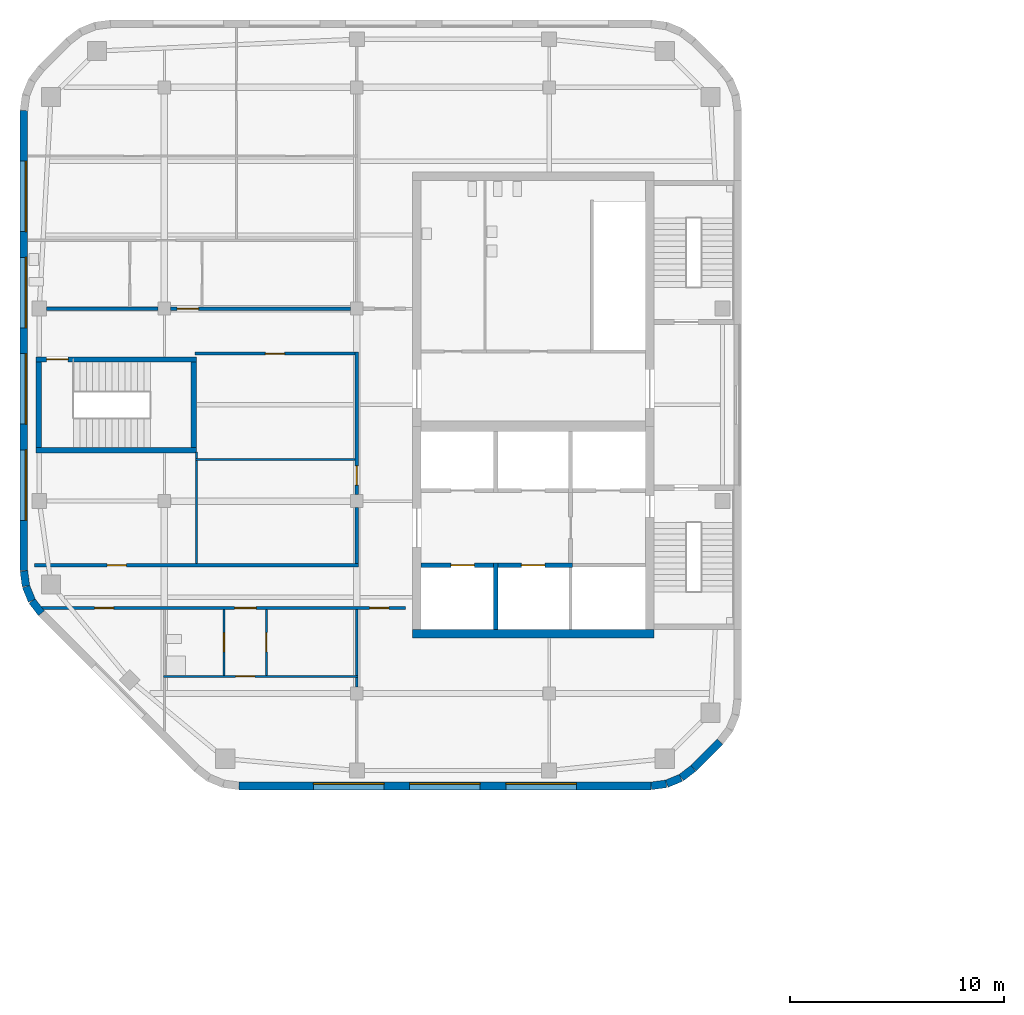
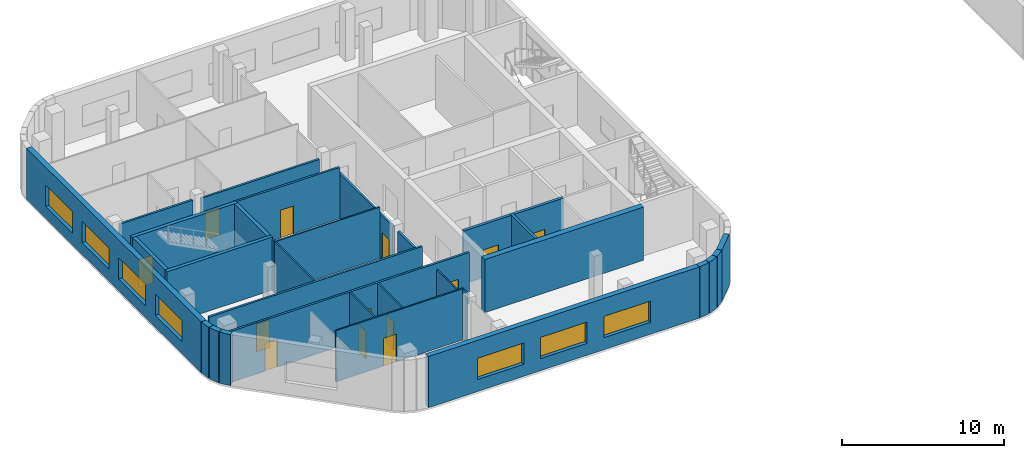
# One storey, part 5 of 15: 32 walls, 13 doors, 7 windows, 20 openings.
"""IFC4 building model written with IfcOpenShell, lengths in metres."""

from ifc_helpers import new_model, si_unit, direction, frame, frame_2d, origin, place, context, subcontext, project, spatial, rectangle, extrude, material, layer, layer_set, type_object, element, fill, save


model = new_model("IFC4")

# Units and contexts
model_context = context("Model", 3, precision=1e-05, world=origin(), true_north=direction((0.0, 1.0)))
body_context = subcontext(model_context, "Body", "Model", "MODEL_VIEW")
ifc_project = project(units=[si_unit("LENGTHUNIT", "METRE"), si_unit("AREAUNIT", "SQUARE_METRE"), si_unit("VOLUMEUNIT", "CUBIC_METRE"), si_unit("PLANEANGLEUNIT", "RADIAN"), si_unit("MASSUNIT", "GRAM", prefix="KILO")], contexts=[model_context])

# Site, building, storey
site_placement = place(None, origin())
site = spatial("IfcSite", under=ifc_project, at=site_placement, CompositionType="ELEMENT")
building_placement = place(site_placement, origin())
building = spatial("IfcBuilding", under=site, at=building_placement, Name="Cinnabar Reach Civic Tower", CompositionType="ELEMENT")
storey_placement = place(building_placement, frame((0.0, 0.0, 120.0)))
storey = spatial("IfcBuildingStorey", under=building, at=storey_placement, Name="L28", CompositionType="ELEMENT", Elevation=120.0)

# Walls
ifc_material_1 = material(Name="Facing brick with insulated backing", Category="masonry")
ifc_layer_1 = layer(ifc_material_1, 0.36)
ifc_layer_set_1 = layer_set([ifc_layer_1], Name="Brick corner wall")
wall_type_1 = type_object("IfcWallType", Name="Brick corner wall", PredefinedType="STANDARD", material=ifc_layer_set_1)
for number, where, z_axis, x_axis, name in (
    (1, (-31.2314, 13.683, 0.0), (0.0, 0.0, 1.0), (0.99144092581, 0.13055608231, 0.0), "Brick corner wall"),
    (2, (-30.5027, 13.7819, 0.0), (0.0, 0.0, 1.0), (0.923871547278, 0.382702709855, 0.0), "Brick corner wall"),
):
    element("IfcWall", number, at=place(storey_placement, frame(where, z_axis=z_axis, x_axis=x_axis)), inside=storey, type_object=wall_type_1, Name=name, PredefinedType="STANDARD", context=body_context, shape_type="SweptSolid", body=[
        extrude(rectangle(XDim=0.7131, YDim=0.36, at=frame_2d((0.3565, 0.0))), origin(), (0.0, 0.0, 1.0), 3.85),
    ])
wall_1_placement = place(storey_placement, frame((-29.8245, 14.066, 0.0), z_axis=(0.0, 0.0, 1.0), x_axis=(0.793321924995, 0.608802368033, 0.0)))
element("IfcWall", 3, at=wall_1_placement, inside=storey, type_object=wall_type_1, Name="Brick corner wall", PredefinedType="STANDARD", context=body_context, shape_type="SweptSolid", body=[
    extrude(rectangle(XDim=0.7132, YDim=0.36, at=frame_2d((0.3566, 0.0))), origin(), (0.0, 0.0, 1.0), 3.85),
])
for number, where, z_axis, x_axis, name in (
    (4, (-60.567, 23.7314, 0.0), (0.0, 0.0, 1.0), (0.13055608231, -0.99144092581, 0.0), "Brick corner wall"),
    (5, (-60.4681, 23.0027, 0.0), (0.0, 0.0, 1.0), (0.382702709855, -0.923871547278, 0.0), "Brick corner wall"),
):
    element("IfcWall", number, at=place(storey_placement, frame(where, z_axis=z_axis, x_axis=x_axis)), inside=storey, type_object=wall_type_1, Name=name, PredefinedType="STANDARD", context=body_context, shape_type="SweptSolid", body=[
        extrude(rectangle(XDim=0.7131, YDim=0.36, at=frame_2d((0.3565, 0.0))), origin(), (0.0, 0.0, 1.0), 3.85),
    ])
wall_2_placement = place(storey_placement, frame((-60.184, 22.3245, 0.0), z_axis=(0.0, 0.0, 1.0), x_axis=(0.608802368033, -0.793321924995, 0.0)))
element("IfcWall", 6, at=wall_2_placement, inside=storey, type_object=wall_type_1, Name="Brick corner wall", PredefinedType="STANDARD", context=body_context, shape_type="SweptSolid", body=[
    extrude(rectangle(XDim=0.7132, YDim=0.36, at=frame_2d((0.3566, 0.0))), origin(), (0.0, 0.0, 1.0), 3.85),
])

# Wall, openings, windows
ifc_layer_2 = layer(ifc_material_1, 0.36)
ifc_layer_set_2 = layer_set([ifc_layer_2], Name="Brick pier and spandrel wall")
wall_type_2 = type_object("IfcWallType", Name="Brick pier and spandrel wall", PredefinedType="STANDARD", material=ifc_layer_set_2)
wall_3_placement = place(storey_placement, frame((-50.5074, 13.68, 0.0), z_axis=(0.0, 0.0, 1.0), x_axis=(1.0, 0.0, 0.0)))
wall_3 = element("IfcWall", 7, at=wall_3_placement, inside=storey, type_object=wall_type_2, Name="Brick facade wall", PredefinedType="STANDARD", context=body_context, shape_type="SweptSolid", body=[
    extrude(rectangle(XDim=19.2648, YDim=0.36, at=frame_2d((9.6324, 0.0))), origin(), (0.0, 0.0, 1.0), 3.85),
])
opening_1_placement = place(wall_3_placement, frame((3.4824, 0.0, 0.9)))
opening_1 = element("IfcOpeningElement", 8, at=opening_1_placement, cuts=wall_3, Name="Opening W2737", PredefinedType="OPENING", context=body_context, shape_type="SweptSolid", body=[
    extrude(rectangle(XDim=3.3, YDim=1.6, at=frame_2d((1.65, 0.8))), frame((0.0, 0.19, 0.0), z_axis=(0.0, -1.0, 0.0), x_axis=(1.0, 0.0, 0.0)), (0.0, 0.0, 1.0), 0.38),
])
opening_2_placement = place(wall_3_placement, frame((7.9824, 0.0, 0.9)))
opening_2 = element("IfcOpeningElement", 9, at=opening_2_placement, cuts=wall_3, Name="Opening W2738", PredefinedType="OPENING", context=body_context, shape_type="SweptSolid", body=[
    extrude(rectangle(XDim=3.3, YDim=1.6, at=frame_2d((1.65, 0.8))), frame((0.0, 0.19, 0.0), z_axis=(0.0, -1.0, 0.0), x_axis=(1.0, 0.0, 0.0)), (0.0, 0.0, 1.0), 0.38),
])
opening_3_placement = place(wall_3_placement, frame((12.4824, 0.0, 0.9)))
opening_3 = element("IfcOpeningElement", 10, at=opening_3_placement, cuts=wall_3, Name="Opening W2739", PredefinedType="OPENING", context=body_context, shape_type="SweptSolid", body=[
    extrude(rectangle(XDim=3.3, YDim=1.6, at=frame_2d((1.65, 0.8))), frame((0.0, 0.19, 0.0), z_axis=(0.0, -1.0, 0.0), x_axis=(1.0, 0.0, 0.0)), (0.0, 0.0, 1.0), 0.38),
])
ifc_material_2 = material(Name="Clear double glazing in aluminium frame", Category="aluminium")
window_type = type_object("IfcWindowType", Name="Deep-set window A", PartitioningType="SINGLE_PANEL", PredefinedType="WINDOW", material=ifc_material_2)
window_1_placement = place(opening_1_placement, origin())
window_1 = element("IfcWindow", 11, at=window_1_placement, inside=storey, type_object=window_type, Name="Window south face", OverallHeight=1.6, OverallWidth=3.3, PartitioningType="SINGLE_PANEL", PredefinedType="WINDOW", context=body_context, shape_type="SweptSolid", body=[
    extrude(rectangle(XDim=3.3, YDim=1.6, at=frame_2d((1.65, 0.8))), frame((0.0, 0.13, 0.0), z_axis=(0.0, -1.0, 0.0), x_axis=(1.0, 0.0, 0.0)), (0.0, 0.0, 1.0), 0.06),
])
fill(opening_1, window_1)
window_2_placement = place(opening_2_placement, origin())
window_2 = element("IfcWindow", 12, at=window_2_placement, inside=storey, type_object=window_type, Name="Window south face", OverallHeight=1.6, OverallWidth=3.3, PartitioningType="SINGLE_PANEL", PredefinedType="WINDOW", context=body_context, shape_type="SweptSolid", body=[
    extrude(rectangle(XDim=3.3, YDim=1.6, at=frame_2d((1.65, 0.8))), frame((0.0, 0.13, 0.0), z_axis=(0.0, -1.0, 0.0), x_axis=(1.0, 0.0, 0.0)), (0.0, 0.0, 1.0), 0.06),
])
fill(opening_2, window_2)
window_3_placement = place(opening_3_placement, origin())
window_3 = element("IfcWindow", 13, at=window_3_placement, inside=storey, type_object=window_type, Name="Window south face", OverallHeight=1.6, OverallWidth=3.3, PartitioningType="SINGLE_PANEL", PredefinedType="WINDOW", context=body_context, shape_type="SweptSolid", body=[
    extrude(rectangle(XDim=3.3, YDim=1.6, at=frame_2d((1.65, 0.8))), frame((0.0, 0.13, 0.0), z_axis=(0.0, -1.0, 0.0), x_axis=(1.0, 0.0, 0.0)), (0.0, 0.0, 1.0), 0.06),
])
fill(opening_3, window_3)

# Wall
wall_4_placement = place(storey_placement, frame((-29.2486, 14.506, 0.0), z_axis=(0.0, 0.0, 1.0), x_axis=(0.707106781187, 0.707106781187, 0.0)))
element("IfcWall", 14, at=wall_4_placement, inside=storey, type_object=wall_type_2, Name="Brick facade wall", PredefinedType="STANDARD", context=body_context, shape_type="SweptSolid", body=[
    extrude(rectangle(XDim=1.7573, YDim=0.36, at=frame_2d((0.8787, 0.0))), origin(), (0.0, 0.0, 1.0), 3.85),
])

# Wall, openings, windows
wall_5_placement = place(storey_placement, frame((-60.57, 45.2574, 0.0), z_axis=(0.0, 0.0, 1.0), x_axis=(0.0, -1.0, 0.0)))
wall_5 = element("IfcWall", 15, at=wall_5_placement, inside=storey, type_object=wall_type_2, Name="Brick facade wall", PredefinedType="STANDARD", context=body_context, shape_type="SweptSolid", body=[
    extrude(rectangle(XDim=21.5148, YDim=0.36, at=frame_2d((10.7574, 0.0))), origin(), (0.0, 0.0, 1.0), 3.85),
])
opening_4_placement = place(wall_5_placement, frame((2.3574, 0.0, 0.9)))
opening_4 = element("IfcOpeningElement", 16, at=opening_4_placement, cuts=wall_5, Name="Opening W2746", PredefinedType="OPENING", context=body_context, shape_type="SweptSolid", body=[
    extrude(rectangle(XDim=3.3, YDim=1.6, at=frame_2d((1.65, 0.8))), frame((0.0, 0.19, 0.0), z_axis=(0.0, -1.0, 0.0), x_axis=(1.0, 0.0, 0.0)), (0.0, 0.0, 1.0), 0.38),
])
opening_5_placement = place(wall_5_placement, frame((6.8574, 0.0, 0.9)))
opening_5 = element("IfcOpeningElement", 17, at=opening_5_placement, cuts=wall_5, Name="Opening W2747", PredefinedType="OPENING", context=body_context, shape_type="SweptSolid", body=[
    extrude(rectangle(XDim=3.3, YDim=1.6, at=frame_2d((1.65, 0.8))), frame((0.0, 0.19, 0.0), z_axis=(0.0, -1.0, 0.0), x_axis=(1.0, 0.0, 0.0)), (0.0, 0.0, 1.0), 0.38),
])
opening_6_placement = place(wall_5_placement, frame((11.3574, 0.0, 0.9)))
opening_6 = element("IfcOpeningElement", 18, at=opening_6_placement, cuts=wall_5, Name="Opening W2748", PredefinedType="OPENING", context=body_context, shape_type="SweptSolid", body=[
    extrude(rectangle(XDim=3.3, YDim=1.6, at=frame_2d((1.65, 0.8))), frame((0.0, 0.19, 0.0), z_axis=(0.0, -1.0, 0.0), x_axis=(1.0, 0.0, 0.0)), (0.0, 0.0, 1.0), 0.38),
])
opening_7_placement = place(wall_5_placement, frame((15.8574, 0.0, 0.9)))
opening_7 = element("IfcOpeningElement", 19, at=opening_7_placement, cuts=wall_5, Name="Opening W2749", PredefinedType="OPENING", context=body_context, shape_type="SweptSolid", body=[
    extrude(rectangle(XDim=3.3, YDim=1.6, at=frame_2d((1.65, 0.8))), frame((0.0, 0.19, 0.0), z_axis=(0.0, -1.0, 0.0), x_axis=(1.0, 0.0, 0.0)), (0.0, 0.0, 1.0), 0.38),
])
window_4_placement = place(opening_4_placement, origin())
window_4 = element("IfcWindow", 20, at=window_4_placement, inside=storey, type_object=window_type, Name="Window west face", OverallHeight=1.6, OverallWidth=3.3, PartitioningType="SINGLE_PANEL", PredefinedType="WINDOW", context=body_context, shape_type="SweptSolid", body=[
    extrude(rectangle(XDim=3.3, YDim=1.6, at=frame_2d((1.65, 0.8))), frame((0.0, 0.13, 0.0), z_axis=(0.0, -1.0, 0.0), x_axis=(1.0, 0.0, 0.0)), (0.0, 0.0, 1.0), 0.06),
])
fill(opening_4, window_4)
window_5_placement = place(opening_5_placement, origin())
window_5 = element("IfcWindow", 21, at=window_5_placement, inside=storey, type_object=window_type, Name="Window west face", OverallHeight=1.6, OverallWidth=3.3, PartitioningType="SINGLE_PANEL", PredefinedType="WINDOW", context=body_context, shape_type="SweptSolid", body=[
    extrude(rectangle(XDim=3.3, YDim=1.6, at=frame_2d((1.65, 0.8))), frame((0.0, 0.13, 0.0), z_axis=(0.0, -1.0, 0.0), x_axis=(1.0, 0.0, 0.0)), (0.0, 0.0, 1.0), 0.06),
])
fill(opening_5, window_5)
window_6_placement = place(opening_6_placement, origin())
window_6 = element("IfcWindow", 22, at=window_6_placement, inside=storey, type_object=window_type, Name="Window west face", OverallHeight=1.6, OverallWidth=3.3, PartitioningType="SINGLE_PANEL", PredefinedType="WINDOW", context=body_context, shape_type="SweptSolid", body=[
    extrude(rectangle(XDim=3.3, YDim=1.6, at=frame_2d((1.65, 0.8))), frame((0.0, 0.13, 0.0), z_axis=(0.0, -1.0, 0.0), x_axis=(1.0, 0.0, 0.0)), (0.0, 0.0, 1.0), 0.06),
])
fill(opening_6, window_6)
window_7_placement = place(opening_7_placement, origin())
window_7 = element("IfcWindow", 23, at=window_7_placement, inside=storey, type_object=window_type, Name="Window west face", OverallHeight=1.6, OverallWidth=3.3, PartitioningType="SINGLE_PANEL", PredefinedType="WINDOW", context=body_context, shape_type="SweptSolid", body=[
    extrude(rectangle(XDim=3.3, YDim=1.6, at=frame_2d((1.65, 0.8))), frame((0.0, 0.13, 0.0), z_axis=(0.0, -1.0, 0.0), x_axis=(1.0, 0.0, 0.0)), (0.0, 0.0, 1.0), 0.06),
])
fill(opening_7, window_7)

# Wall
ifc_material_3 = material(Name="Concrete C60", Category="concrete")
ifc_layer_3 = layer(ifc_material_3, 0.4)
ifc_layer_set_3 = layer_set([ifc_layer_3], Name="Core wall 400 EI 180")
wall_type_3 = type_object("IfcWallType", Name="Core wall 400 EI 180", PredefinedType="SOLIDWALL", material=ifc_layer_set_3)
wall_6_placement = place(storey_placement, frame((-42.4, 20.8, 0.0), z_axis=(0.0, 0.0, 1.0), x_axis=(1.0, 0.0, 0.0)))
element("IfcWall", 24, at=wall_6_placement, inside=storey, type_object=wall_type_3, Name="Core wall T2 L28 S", PredefinedType="SOLIDWALL", context=body_context, shape_type="SweptSolid", body=[
    extrude(rectangle(XDim=11.3, YDim=0.4, at=frame_2d((5.65, 0.0))), origin(), (0.0, 0.0, 1.0), 4.0),
])

# Wall, opening, door
ifc_material_4 = material(Name="Gypsum board on steel studs, double layer", Category="steel")
ifc_layer_4 = layer(ifc_material_4, 0.15)
ifc_layer_set_4 = layer_set([ifc_layer_4], Name="Corridor wall 150 T2")
wall_type_4 = type_object("IfcWallType", Name="Corridor wall 150 T2", PredefinedType="PARTITIONING", material=ifc_layer_set_4)
wall_7_placement = place(storey_placement, frame((-53.7, 36.0, 0.0), z_axis=(0.0, 0.0, 1.0), x_axis=(1.0, 0.0, 0.0)))
wall_7 = element("IfcWall", 25, at=wall_7_placement, inside=storey, type_object=wall_type_4, Name="Corridor wall 2", PredefinedType="PARTITIONING", context=body_context, shape_type="SweptSolid", body=[
    extrude(rectangle(XDim=8.4, YDim=0.15, at=frame_2d((4.2, 0.0))), origin(), (0.0, 0.0, 1.0), 3.262),
])
opening_8_placement = place(wall_7_placement, frame((0.3, 0.0, 0.0)))
opening_8 = element("IfcOpeningElement", 26, at=opening_8_placement, cuts=wall_7, Name="Opening D7035", PredefinedType="OPENING", context=body_context, shape_type="SweptSolid", body=[
    extrude(rectangle(XDim=1.0, YDim=2.1, at=frame_2d((0.5, 1.05))), frame((0.0, 0.085, 0.0), z_axis=(0.0, -1.0, 0.0), x_axis=(1.0, 0.0, 0.0)), (0.0, 0.0, 1.0), 0.17),
])
ifc_material_5 = material(Name="Timber door leaf in steel frame", Category="steel")
door_type_1 = type_object("IfcDoorType", Name="Tenancy entrance door 1000 x 2100 T2", OperationType="SINGLE_SWING_LEFT", PredefinedType="DOOR", material=ifc_material_5)
door_1_placement = place(opening_8_placement, origin())
door_1 = element("IfcDoor", 27, at=door_1_placement, inside=storey, type_object=door_type_1, Name="Door D7035", OperationType="SINGLE_SWING_RIGHT", OverallHeight=2.1, OverallWidth=1.0, PredefinedType="DOOR", context=body_context, shape_type="SweptSolid", body=[
    extrude(rectangle(XDim=1.0, YDim=2.1, at=frame_2d((0.5, 1.05))), frame((0.0, 0.025, 0.0), z_axis=(0.0, -1.0, 0.0), x_axis=(1.0, 0.0, 0.0)), (0.0, 0.0, 1.0), 0.05),
])
fill(opening_8, door_1)

# Wall
wall_8_placement = place(storey_placement, frame((-59.5, 36.0, 0.0), z_axis=(0.0, 0.0, 1.0), x_axis=(1.0, 0.0, 0.0)))
element("IfcWall", 28, at=wall_8_placement, inside=storey, type_object=wall_type_4, Name="Corridor wall 3", PredefinedType="PARTITIONING", context=body_context, shape_type="SweptSolid", body=[
    extrude(rectangle(XDim=5.2, YDim=0.15, at=frame_2d((2.6, 0.0))), origin(), (0.0, 0.0, 1.0), 3.35),
])

# Wall, openings, doors
wall_9_placement = place(storey_placement, frame((-59.7657, 22.0, 0.0), z_axis=(0.0, 0.0, 1.0), x_axis=(1.0, 0.0, 0.0)))
wall_9 = element("IfcWall", 29, at=wall_9_placement, inside=storey, type_object=wall_type_4, Name="Corridor wall 4", PredefinedType="PARTITIONING", context=body_context, shape_type="SweptSolid", body=[
    extrude(rectangle(XDim=17.0407, YDim=0.15, at=frame_2d((8.5204, 0.0))), origin(), (0.0, 0.0, 1.0), 3.85),
])
opening_9_placement = place(wall_9_placement, frame((15.3657, 0.0, 0.0)))
opening_9 = element("IfcOpeningElement", 30, at=opening_9_placement, cuts=wall_9, Name="Opening D7023", PredefinedType="OPENING", context=body_context, shape_type="SweptSolid", body=[
    extrude(rectangle(XDim=0.9, YDim=2.1, at=frame_2d((0.45, 1.05))), frame((0.0, 0.085, 0.0), z_axis=(0.0, -1.0, 0.0), x_axis=(1.0, 0.0, 0.0)), (0.0, 0.0, 1.0), 0.17),
])
opening_10_placement = place(wall_9_placement, frame((2.5, 0.0, 0.0)))
opening_10 = element("IfcOpeningElement", 31, at=opening_10_placement, cuts=wall_9, Name="Opening D7024", PredefinedType="OPENING", context=body_context, shape_type="SweptSolid", body=[
    extrude(rectangle(XDim=0.9, YDim=2.1, at=frame_2d((0.45, 1.05))), frame((0.0, 0.085, 0.0), z_axis=(0.0, -1.0, 0.0), x_axis=(1.0, 0.0, 0.0)), (0.0, 0.0, 1.0), 0.17),
])
opening_11_placement = place(wall_9_placement, frame((9.0557, 0.0, 0.0)))
opening_11 = element("IfcOpeningElement", 32, at=opening_11_placement, cuts=wall_9, Name="Opening D7028", PredefinedType="OPENING", context=body_context, shape_type="SweptSolid", body=[
    extrude(rectangle(XDim=1.0, YDim=2.1, at=frame_2d((0.5, 1.05))), frame((0.0, 0.085, 0.0), z_axis=(0.0, -1.0, 0.0), x_axis=(1.0, 0.0, 0.0)), (0.0, 0.0, 1.0), 0.17),
])
door_type_2 = type_object("IfcDoorType", Name="Single swing door 900 x 2100 T2", OperationType="SINGLE_SWING_LEFT", PredefinedType="DOOR", material=ifc_material_5)
door_2_placement = place(opening_9_placement, frame((0.9, 0.0, 0.0), z_axis=(0.0, 0.0, 1.0), x_axis=(-1.0, 0.0, 0.0)))
door_2 = element("IfcDoor", 33, at=door_2_placement, inside=storey, type_object=door_type_2, Name="Door D7023", OperationType="SINGLE_SWING_RIGHT", OverallHeight=2.1, OverallWidth=0.9, PredefinedType="DOOR", context=body_context, shape_type="SweptSolid", body=[
    extrude(rectangle(XDim=0.9, YDim=2.1, at=frame_2d((0.45, 1.05))), frame((0.0, 0.025, 0.0), z_axis=(0.0, -1.0, 0.0), x_axis=(1.0, 0.0, 0.0)), (0.0, 0.0, 1.0), 0.05),
])
fill(opening_9, door_2)
door_3_placement = place(opening_10_placement, frame((0.9, 0.0, 0.0), z_axis=(0.0, 0.0, 1.0), x_axis=(-1.0, 0.0, 0.0)))
door_3 = element("IfcDoor", 34, at=door_3_placement, inside=storey, type_object=door_type_2, Name="Door D7024", OperationType="SINGLE_SWING_RIGHT", OverallHeight=2.1, OverallWidth=0.9, PredefinedType="DOOR", context=body_context, shape_type="SweptSolid", body=[
    extrude(rectangle(XDim=0.9, YDim=2.1, at=frame_2d((0.45, 1.05))), frame((0.0, 0.025, 0.0), z_axis=(0.0, -1.0, 0.0), x_axis=(1.0, 0.0, 0.0)), (0.0, 0.0, 1.0), 0.05),
])
fill(opening_10, door_3)
door_4_placement = place(opening_11_placement, frame((1.0, 0.0, 0.0), z_axis=(0.0, 0.0, 1.0), x_axis=(-1.0, 0.0, 0.0)))
door_4 = element("IfcDoor", 35, at=door_4_placement, inside=storey, type_object=door_type_1, Name="Door D7028", OperationType="SINGLE_SWING_LEFT", OverallHeight=2.1, OverallWidth=1.0, PredefinedType="DOOR", context=body_context, shape_type="SweptSolid", body=[
    extrude(rectangle(XDim=1.0, YDim=2.1, at=frame_2d((0.5, 1.05))), frame((0.0, 0.025, 0.0), z_axis=(0.0, -1.0, 0.0), x_axis=(1.0, 0.0, 0.0)), (0.0, 0.0, 1.0), 0.05),
])
fill(opening_11, door_4)

# Wall, opening, door
wall_10_placement = place(storey_placement, frame((-60.075, 24.0, 0.0), z_axis=(0.0, 0.0, 1.0), x_axis=(1.0, 0.0, 0.0)))
wall_10 = element("IfcWall", 36, at=wall_10_placement, inside=storey, type_object=wall_type_4, Name="Corridor wall 5", PredefinedType="PARTITIONING", context=body_context, shape_type="SweptSolid", body=[
    extrude(rectangle(XDim=15.15, YDim=0.15, at=frame_2d((7.575, 0.0))), origin(), (0.0, 0.0, 1.0), 3.85),
])
opening_12_placement = place(wall_10_placement, frame((3.4, 0.0, 0.0)))
opening_12 = element("IfcOpeningElement", 37, at=opening_12_placement, cuts=wall_10, Name="Opening D7036", PredefinedType="OPENING", context=body_context, shape_type="SweptSolid", body=[
    extrude(rectangle(XDim=0.9, YDim=2.1, at=frame_2d((0.45, 1.05))), frame((0.0, 0.085, 0.0), z_axis=(0.0, -1.0, 0.0), x_axis=(1.0, 0.0, 0.0)), (0.0, 0.0, 1.0), 0.17),
])
door_5_placement = place(opening_12_placement, origin())
door_5 = element("IfcDoor", 38, at=door_5_placement, inside=storey, type_object=door_type_2, Name="Door D7036", OperationType="SINGLE_SWING_RIGHT", OverallHeight=2.1, OverallWidth=0.9, PredefinedType="DOOR", context=body_context, shape_type="SweptSolid", body=[
    extrude(rectangle(XDim=0.9, YDim=2.1, at=frame_2d((0.45, 1.05))), frame((0.0, 0.025, 0.0), z_axis=(0.0, -1.0, 0.0), x_axis=(1.0, 0.0, 0.0)), (0.0, 0.0, 1.0), 0.05),
])
fill(opening_12, door_5)

# Wall
wall_11_placement = place(storey_placement, frame((-45.0, 24.075, 0.0), z_axis=(0.0, 0.0, 1.0), x_axis=(0.0, 1.0, 0.0)))
element("IfcWall", 39, at=wall_11_placement, inside=storey, type_object=wall_type_4, Name="Corridor wall 6", PredefinedType="PARTITIONING", context=body_context, shape_type="SweptSolid", body=[
    extrude(rectangle(XDim=2.625, YDim=0.15, at=frame_2d((1.3125, 0.0))), origin(), (0.0, 0.0, 1.0), 3.362),
])

# Wall, opening, door
wall_12_placement = place(storey_placement, frame((-45.0, 27.3, 0.0), z_axis=(0.0, 0.0, 1.0), x_axis=(0.0, 1.0, 0.0)))
wall_12 = element("IfcWall", 40, at=wall_12_placement, inside=storey, type_object=wall_type_4, Name="Corridor wall 7", PredefinedType="PARTITIONING", context=body_context, shape_type="SweptSolid", body=[
    extrude(rectangle(XDim=6.675, YDim=0.15, at=frame_2d((3.3375, 0.0))), origin(), (0.0, 0.0, 1.0), 3.362),
])
opening_13_placement = place(wall_12_placement, frame((0.45, 0.0, 0.0)))
opening_13 = element("IfcOpeningElement", 41, at=opening_13_placement, cuts=wall_12, Name="Opening D7037", PredefinedType="OPENING", context=body_context, shape_type="SweptSolid", body=[
    extrude(rectangle(XDim=0.9, YDim=2.1, at=frame_2d((0.45, 1.05))), frame((0.0, 0.085, 0.0), z_axis=(0.0, -1.0, 0.0), x_axis=(1.0, 0.0, 0.0)), (0.0, 0.0, 1.0), 0.17),
])
door_6_placement = place(opening_13_placement, origin())
door_6 = element("IfcDoor", 42, at=door_6_placement, inside=storey, type_object=door_type_2, Name="Door D7037", OperationType="SINGLE_SWING_RIGHT", OverallHeight=2.1, OverallWidth=0.9, PredefinedType="DOOR", context=body_context, shape_type="SweptSolid", body=[
    extrude(rectangle(XDim=0.9, YDim=2.1, at=frame_2d((0.45, 1.05))), frame((0.0, 0.025, 0.0), z_axis=(0.0, -1.0, 0.0), x_axis=(1.0, 0.0, 0.0)), (0.0, 0.0, 1.0), 0.05),
])
fill(opening_13, door_6)

wall_13_placement = place(storey_placement, frame((-52.575, 33.9, 0.0), z_axis=(0.0, 0.0, 1.0), x_axis=(1.0, 0.0, 0.0)))
wall_13 = element("IfcWall", 43, at=wall_13_placement, inside=storey, type_object=wall_type_4, Name="Corridor wall 8", PredefinedType="PARTITIONING", context=body_context, shape_type="SweptSolid", body=[
    extrude(rectangle(XDim=7.5, YDim=0.15, at=frame_2d((3.75, 0.0))), origin(), (0.0, 0.0, 1.0), 3.85),
])
opening_14_placement = place(wall_13_placement, frame((3.3, 0.0, 0.0)))
opening_14 = element("IfcOpeningElement", 44, at=opening_14_placement, cuts=wall_13, Name="Opening D7038", PredefinedType="OPENING", context=body_context, shape_type="SweptSolid", body=[
    extrude(rectangle(XDim=0.9, YDim=2.1, at=frame_2d((0.45, 1.05))), frame((0.0, 0.085, 0.0), z_axis=(0.0, -1.0, 0.0), x_axis=(1.0, 0.0, 0.0)), (0.0, 0.0, 1.0), 0.17),
])
door_7_placement = place(opening_14_placement, frame((0.9, 0.0, 0.0), z_axis=(0.0, 0.0, 1.0), x_axis=(-1.0, 0.0, 0.0)))
door_7 = element("IfcDoor", 45, at=door_7_placement, inside=storey, type_object=door_type_2, Name="Door D7038", OperationType="SINGLE_SWING_RIGHT", OverallHeight=2.1, OverallWidth=0.9, PredefinedType="DOOR", context=body_context, shape_type="SweptSolid", body=[
    extrude(rectangle(XDim=0.9, YDim=2.1, at=frame_2d((0.45, 1.05))), frame((0.0, 0.025, 0.0), z_axis=(0.0, -1.0, 0.0), x_axis=(1.0, 0.0, 0.0)), (0.0, 0.0, 1.0), 0.05),
])
fill(opening_14, door_7)

ifc_material_6 = material(Name="Gypsum board on steel studs", Category="steel")
ifc_layer_5 = layer(ifc_material_6, 0.1)
ifc_layer_set_5 = layer_set([ifc_layer_5], Name="Partition wall 100 T2")
wall_type_5 = type_object("IfcWallType", Name="Partition wall 100 T2", PredefinedType="PARTITIONING", material=ifc_layer_set_5)
wall_14_placement = place(storey_placement, frame((-54.05, 18.8, 0.0), z_axis=(0.0, 0.0, 1.0), x_axis=(1.0, 0.0, 0.0)))
wall_14 = element("IfcWall", 46, at=wall_14_placement, inside=storey, type_object=wall_type_5, Name="Partition wall 17", PredefinedType="PARTITIONING", context=body_context, shape_type="SweptSolid", body=[
    extrude(rectangle(XDim=9.1, YDim=0.1, at=frame_2d((4.55, 0.0))), origin(), (0.0, 0.0, 1.0), 3.85),
])
opening_15_placement = place(wall_14_placement, frame((3.39, 0.0, 0.0)))
opening_15 = element("IfcOpeningElement", 47, at=opening_15_placement, cuts=wall_14, Name="Opening D7027", PredefinedType="OPENING", context=body_context, shape_type="SweptSolid", body=[
    extrude(rectangle(XDim=0.9, YDim=2.1, at=frame_2d((0.45, 1.05))), frame((0.0, 0.06, 0.0), z_axis=(0.0, -1.0, 0.0), x_axis=(1.0, 0.0, 0.0)), (0.0, 0.0, 1.0), 0.12),
])
door_8_placement = place(opening_15_placement, origin())
door_8 = element("IfcDoor", 48, at=door_8_placement, inside=storey, type_object=door_type_2, Name="Door D7027", OperationType="SINGLE_SWING_RIGHT", OverallHeight=2.1, OverallWidth=0.9, PredefinedType="DOOR", context=body_context, shape_type="SweptSolid", body=[
    extrude(rectangle(XDim=0.9, YDim=2.1, at=frame_2d((0.45, 1.05))), frame((0.0, 0.025, 0.0), z_axis=(0.0, -1.0, 0.0), x_axis=(1.0, 0.0, 0.0)), (0.0, 0.0, 1.0), 0.05),
])
fill(opening_15, door_8)

# Walls
wall_15_placement = place(storey_placement, frame((-45.0, 18.85, 0.0), z_axis=(0.0, 0.0, 1.0), x_axis=(0.0, 1.0, 0.0)))
element("IfcWall", 49, at=wall_15_placement, inside=storey, type_object=wall_type_5, Name="Partition wall 18", PredefinedType="PARTITIONING", context=body_context, shape_type="SweptSolid", body=[
    extrude(rectangle(XDim=3.075, YDim=0.1, at=frame_2d((1.5375, 0.0))), origin(), (0.0, 0.0, 1.0), 3.362),
])
wall_16_placement = place(storey_placement, frame((-45.0, 18.3, 0.0), z_axis=(0.0, 0.0, 1.0), x_axis=(0.0, 1.0, 0.0)))
element("IfcWall", 50, at=wall_16_placement, inside=storey, type_object=wall_type_5, Name="Partition wall 19", PredefinedType="PARTITIONING", context=body_context, shape_type="SweptSolid", body=[
    extrude(rectangle(XDim=0.45, YDim=0.1, at=frame_2d((0.225, 0.0))), origin(), (0.0, 0.0, 1.0), 3.85),
])
wall_17_placement = place(storey_placement, frame((-52.55, 28.95, 0.0), z_axis=(0.0, 0.0, 1.0), x_axis=(1.0, 0.0, 0.0)))
element("IfcWall", 51, at=wall_17_placement, inside=storey, type_object=wall_type_5, Name="Partition wall 21", PredefinedType="PARTITIONING", context=body_context, shape_type="SweptSolid", body=[
    extrude(rectangle(XDim=7.475, YDim=0.1, at=frame_2d((3.7375, 0.0))), origin(), (0.0, 0.0, 1.0), 3.85),
])
wall_18_placement = place(storey_placement, frame((-52.5, 29.0, 0.0), z_axis=(0.0, 0.0, 1.0), x_axis=(0.0, 1.0, 0.0)))
element("IfcWall", 52, at=wall_18_placement, inside=storey, type_object=wall_type_5, Name="Partition wall 24", PredefinedType="PARTITIONING", context=body_context, shape_type="SweptSolid", body=[
    extrude(rectangle(XDim=0.3, YDim=0.1, at=frame_2d((0.15, 0.0))), origin(), (0.0, 0.0, 1.0), 3.85),
])
wall_19_placement = place(storey_placement, frame((-52.5, 24.075, 0.0), z_axis=(0.0, 0.0, 1.0), x_axis=(0.0, 1.0, 0.0)))
element("IfcWall", 53, at=wall_19_placement, inside=storey, type_object=wall_type_5, Name="Partition wall 25", PredefinedType="PARTITIONING", context=body_context, shape_type="SweptSolid", body=[
    extrude(rectangle(XDim=4.825, YDim=0.1, at=frame_2d((2.4125, 0.0))), origin(), (0.0, 0.0, 1.0), 3.85),
])

# Wall, opening, door
wall_20_placement = place(storey_placement, frame((-51.21, 18.85, 0.0), z_axis=(0.0, 0.0, 1.0), x_axis=(0.0, 1.0, 0.0)))
wall_20 = element("IfcWall", 54, at=wall_20_placement, inside=storey, type_object=wall_type_5, Name="Partition wall 28", PredefinedType="PARTITIONING", context=body_context, shape_type="SweptSolid", body=[
    extrude(rectangle(XDim=3.075, YDim=0.1, at=frame_2d((1.5375, 0.0))), origin(), (0.0, 0.0, 1.0), 3.85),
])
opening_16_placement = place(wall_20_placement, frame((1.1, 0.0, 0.0)))
opening_16 = element("IfcOpeningElement", 55, at=opening_16_placement, cuts=wall_20, Name="Opening D7025", PredefinedType="OPENING", context=body_context, shape_type="SweptSolid", body=[
    extrude(rectangle(XDim=0.9, YDim=2.1, at=frame_2d((0.45, 1.05))), frame((0.0, 0.06, 0.0), z_axis=(0.0, -1.0, 0.0), x_axis=(1.0, 0.0, 0.0)), (0.0, 0.0, 1.0), 0.12),
])
door_9_placement = place(opening_16_placement, origin())
door_9 = element("IfcDoor", 56, at=door_9_placement, inside=storey, type_object=door_type_2, Name="Door D7025", OperationType="SINGLE_SWING_LEFT", OverallHeight=2.1, OverallWidth=0.9, PredefinedType="DOOR", context=body_context, shape_type="SweptSolid", body=[
    extrude(rectangle(XDim=0.9, YDim=2.1, at=frame_2d((0.45, 1.05))), frame((0.0, 0.025, 0.0), z_axis=(0.0, -1.0, 0.0), x_axis=(1.0, 0.0, 0.0)), (0.0, 0.0, 1.0), 0.05),
])
fill(opening_16, door_9)

wall_21_placement = place(storey_placement, frame((-49.23, 18.85, 0.0), z_axis=(0.0, 0.0, 1.0), x_axis=(0.0, 1.0, 0.0)))
wall_21 = element("IfcWall", 57, at=wall_21_placement, inside=storey, type_object=wall_type_5, Name="Partition wall 29", PredefinedType="PARTITIONING", context=body_context, shape_type="SweptSolid", body=[
    extrude(rectangle(XDim=3.075, YDim=0.1, at=frame_2d((1.5375, 0.0))), origin(), (0.0, 0.0, 1.0), 3.85),
])
opening_17_placement = place(wall_21_placement, frame((1.1, 0.0, 0.0)))
opening_17 = element("IfcOpeningElement", 58, at=opening_17_placement, cuts=wall_21, Name="Opening D7026", PredefinedType="OPENING", context=body_context, shape_type="SweptSolid", body=[
    extrude(rectangle(XDim=0.9, YDim=2.1, at=frame_2d((0.45, 1.05))), frame((0.0, 0.06, 0.0), z_axis=(0.0, -1.0, 0.0), x_axis=(1.0, 0.0, 0.0)), (0.0, 0.0, 1.0), 0.12),
])
door_10_placement = place(opening_17_placement, origin())
door_10 = element("IfcDoor", 59, at=door_10_placement, inside=storey, type_object=door_type_2, Name="Door D7026", OperationType="SINGLE_SWING_LEFT", OverallHeight=2.1, OverallWidth=0.9, PredefinedType="DOOR", context=body_context, shape_type="SweptSolid", body=[
    extrude(rectangle(XDim=0.9, YDim=2.1, at=frame_2d((0.45, 1.05))), frame((0.0, 0.025, 0.0), z_axis=(0.0, -1.0, 0.0), x_axis=(1.0, 0.0, 0.0)), (0.0, 0.0, 1.0), 0.05),
])
fill(opening_17, door_10)

# Wall
ifc_layer_6 = layer(ifc_material_3, 0.25)
ifc_layer_set_6 = layer_set([ifc_layer_6], Name="Stair shaft wall 250 EI 120")
wall_type_6 = type_object("IfcWallType", Name="Stair shaft wall 250 EI 120", PredefinedType="SOLIDWALL", material=ifc_layer_set_6)
wall_22_placement = place(storey_placement, frame((-60.0, 29.375, 0.0), z_axis=(0.0, 0.0, 1.0), x_axis=(1.0, 0.0, 0.0)))
element("IfcWall", 60, at=wall_22_placement, inside=storey, type_object=wall_type_6, Name="Stair shaft wall T2-S3 L28", PredefinedType="SOLIDWALL", context=body_context, shape_type="SweptSolid", body=[
    extrude(rectangle(XDim=7.5, YDim=0.25, at=frame_2d((3.75, 0.0))), origin(), (0.0, 0.0, 1.0), 4.0),
])

# Wall, opening, door
wall_23_placement = place(storey_placement, frame((-52.5, 33.625, 0.0), z_axis=(0.0, 0.0, 1.0), x_axis=(-1.0, 0.0, 0.0)))
wall_23 = element("IfcWall", 61, at=wall_23_placement, inside=storey, type_object=wall_type_6, Name="Stair shaft wall T2-S3 L28", PredefinedType="SOLIDWALL", context=body_context, shape_type="SweptSolid", body=[
    extrude(rectangle(XDim=7.5, YDim=0.25, at=frame_2d((3.75, 0.0))), origin(), (0.0, 0.0, 1.0), 4.0),
])
opening_18_placement = place(wall_23_placement, frame((6.0, 0.0, 0.0)))
opening_18 = element("IfcOpeningElement", 62, at=opening_18_placement, cuts=wall_23, Name="Opening D7039", PredefinedType="OPENING", context=body_context, shape_type="SweptSolid", body=[
    extrude(rectangle(XDim=1.0, YDim=2.1, at=frame_2d((0.5, 1.05))), frame((0.0, 0.135, 0.0), z_axis=(0.0, -1.0, 0.0), x_axis=(1.0, 0.0, 0.0)), (0.0, 0.0, 1.0), 0.27),
])
door_type_3 = type_object("IfcDoorType", Name="Stair door 1000 x 2100 T2", OperationType="SINGLE_SWING_LEFT", PredefinedType="DOOR", material=ifc_material_5)
door_11_placement = place(opening_18_placement, origin())
door_11 = element("IfcDoor", 63, at=door_11_placement, inside=storey, type_object=door_type_3, Name="Door D7039", OperationType="SINGLE_SWING_RIGHT", OverallHeight=2.1, OverallWidth=1.0, PredefinedType="DOOR", context=body_context, shape_type="SweptSolid", body=[
    extrude(rectangle(XDim=1.0, YDim=2.1, at=frame_2d((0.5, 1.05))), frame((0.0, 0.025, 0.0), z_axis=(0.0, -1.0, 0.0), x_axis=(1.0, 0.0, 0.0)), (0.0, 0.0, 1.0), 0.05),
])
fill(opening_18, door_11)

# Walls
for number, where, z_axis, x_axis, name in (
    (64, (-52.625, 29.5, 0.0), (0.0, 0.0, 1.0), (0.0, 1.0, 0.0), "Stair shaft wall T2-S3 L28"),
    (65, (-59.875, 33.5, 0.0), (0.0, 0.0, 1.0), (0.0, -1.0, 0.0), "Stair shaft wall T2-S3 L28"),
):
    element("IfcWall", number, at=place(storey_placement, frame(where, z_axis=z_axis, x_axis=x_axis)), inside=storey, type_object=wall_type_6, Name=name, PredefinedType="SOLIDWALL", context=body_context, shape_type="SweptSolid", body=[
        extrude(rectangle(XDim=4.0, YDim=0.25, at=frame_2d((2.0, 0.0))), origin(), (0.0, 0.0, 1.0), 4.0),
    ])
ifc_material_7 = material(Name="Concrete C40", Category="concrete")
ifc_layer_7 = layer(ifc_material_7, 0.2)
ifc_layer_set_7 = layer_set([ifc_layer_7], Name="T2 Shaft wall 200")
wall_type_7 = type_object("IfcWallType", Name="T2 Shaft wall 200", PredefinedType="SOLIDWALL", material=ifc_layer_set_7)
wall_24_placement = place(storey_placement, frame((-38.5, 21.0, 0.0), z_axis=(0.0, 0.0, 1.0), x_axis=(0.0, 1.0, 0.0)))
element("IfcWall", 66, at=wall_24_placement, inside=storey, type_object=wall_type_7, Name="T2 Shaft wall L28 001", PredefinedType="SOLIDWALL", context=body_context, shape_type="SweptSolid", body=[
    extrude(rectangle(XDim=3.1, YDim=0.2, at=frame_2d((1.55, 0.0))), origin(), (0.0, 0.0, 1.0), 4.0),
])

# Wall, opening, door
wall_25_placement = place(storey_placement, frame((-38.6, 24.0, 0.0), z_axis=(0.0, 0.0, 1.0), x_axis=(-1.0, 0.0, 0.0)))
wall_25 = element("IfcWall", 67, at=wall_25_placement, inside=storey, type_object=wall_type_7, Name="T2 Shaft wall L28 002", PredefinedType="SOLIDWALL", context=body_context, shape_type="SweptSolid", body=[
    extrude(rectangle(XDim=3.4, YDim=0.2, at=frame_2d((1.7, 0.0))), origin(), (0.0, 0.0, 1.0), 4.0),
])
opening_19_placement = place(wall_25_placement, frame((0.9, 0.0, 0.0)))
opening_19 = element("IfcOpeningElement", 68, at=opening_19_placement, cuts=wall_25, Name="Opening D7008", PredefinedType="OPENING", context=body_context, shape_type="SweptSolid", body=[
    extrude(rectangle(XDim=1.1, YDim=2.1, at=frame_2d((0.55, 1.05))), frame((0.0, 0.11, 0.0), z_axis=(0.0, -1.0, 0.0), x_axis=(1.0, 0.0, 0.0)), (0.0, 0.0, 1.0), 0.22),
])
ifc_material_8 = material(Name="Steel fire door", Category="steel")
door_type_4 = type_object("IfcDoorType", Name="T2 Lift landing door 1100", OperationType="SLIDING_TO_LEFT", PredefinedType="DOOR", material=ifc_material_8)
door_12_placement = place(opening_19_placement, origin())
door_12 = element("IfcDoor", 69, at=door_12_placement, inside=storey, type_object=door_type_4, Name="T2 Lift landing door D7008", OperationType="SLIDING_TO_LEFT", OverallHeight=2.1, OverallWidth=1.1, PredefinedType="DOOR", context=body_context, shape_type="SweptSolid", body=[
    extrude(rectangle(XDim=1.1, YDim=2.1, at=frame_2d((0.55, 1.05))), frame((0.0, 0.025, 0.0), z_axis=(0.0, -1.0, 0.0), x_axis=(1.0, 0.0, 0.0)), (0.0, 0.0, 1.0), 0.05),
])
fill(opening_19, door_12)

wall_26_placement = place(storey_placement, frame((-34.9, 24.0, 0.0), z_axis=(0.0, 0.0, 1.0), x_axis=(-1.0, 0.0, 0.0)))
wall_26 = element("IfcWall", 70, at=wall_26_placement, inside=storey, type_object=wall_type_7, Name="T2 Shaft wall L28 003", PredefinedType="SOLIDWALL", context=body_context, shape_type="SweptSolid", body=[
    extrude(rectangle(XDim=3.5, YDim=0.2, at=frame_2d((1.75, 0.0))), origin(), (0.0, 0.0, 1.0), 4.0),
])
opening_20_placement = place(wall_26_placement, frame((1.3, 0.0, 0.0)))
opening_20 = element("IfcOpeningElement", 71, at=opening_20_placement, cuts=wall_26, Name="Opening D7009", PredefinedType="OPENING", context=body_context, shape_type="SweptSolid", body=[
    extrude(rectangle(XDim=1.1, YDim=2.1, at=frame_2d((0.55, 1.05))), frame((0.0, 0.11, 0.0), z_axis=(0.0, -1.0, 0.0), x_axis=(1.0, 0.0, 0.0)), (0.0, 0.0, 1.0), 0.22),
])
door_13_placement = place(opening_20_placement, origin())
door_13 = element("IfcDoor", 72, at=door_13_placement, inside=storey, type_object=door_type_4, Name="T2 Lift landing door D7009", OperationType="SLIDING_TO_LEFT", OverallHeight=2.1, OverallWidth=1.1, PredefinedType="DOOR", context=body_context, shape_type="SweptSolid", body=[
    extrude(rectangle(XDim=1.1, YDim=2.1, at=frame_2d((0.55, 1.05))), frame((0.0, 0.025, 0.0), z_axis=(0.0, -1.0, 0.0), x_axis=(1.0, 0.0, 0.0)), (0.0, 0.0, 1.0), 0.05),
])
fill(opening_20, door_13)

save(model, "model.ifc")
